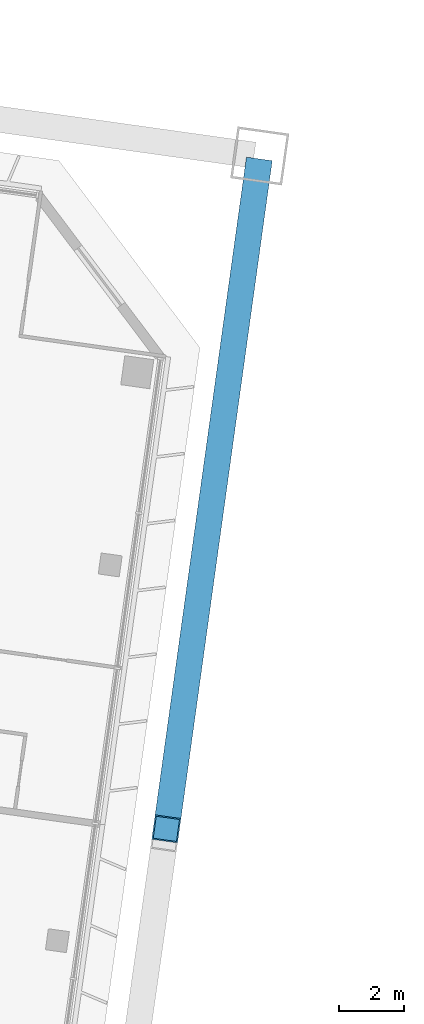
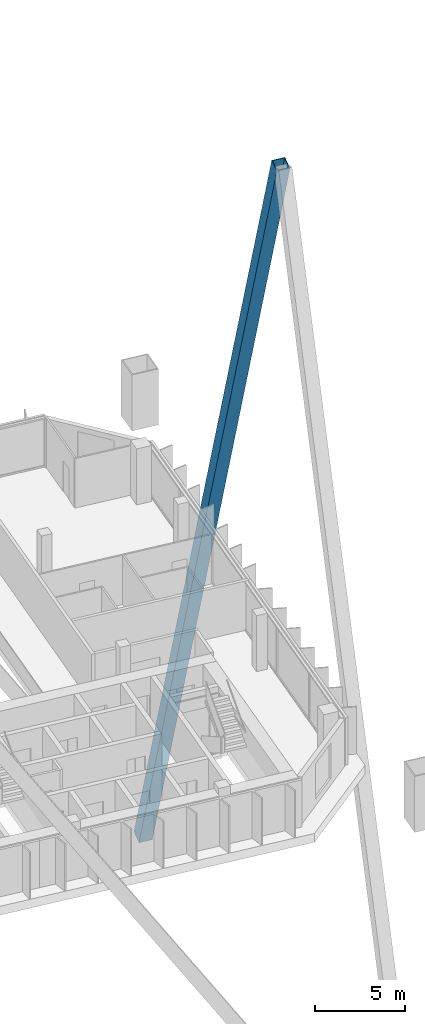
# One storey, part 13 of 41: 1 member.
"""IFC4 building model written with IfcOpenShell, lengths in metres."""

from ifc_helpers import new_model, si_unit, direction, frame, origin, origin_2d, place, context, subcontext, project, spatial, hollow_rectangle, extrude, material, material_profile, profile_set, type_object, element, save


model = new_model("IFC4")

# Units and contexts
model_context = context("Model", 3, precision=1e-05, world=origin(), true_north=direction((0.0, 1.0)))
body_context = subcontext(model_context, "Body", "Model", "MODEL_VIEW")
ifc_project = project(units=[si_unit("LENGTHUNIT", "METRE"), si_unit("AREAUNIT", "SQUARE_METRE"), si_unit("VOLUMEUNIT", "CUBIC_METRE"), si_unit("PLANEANGLEUNIT", "RADIAN"), si_unit("MASSUNIT", "GRAM", prefix="KILO")], contexts=[model_context])

# Site, building, storey
site_placement = place(None, origin())
site = spatial("IfcSite", under=ifc_project, at=site_placement, CompositionType="ELEMENT")
building_placement = place(site_placement, origin())
building = spatial("IfcBuilding", under=site, at=building_placement, Name="Mirante Cascada Hotel Towers", CompositionType="ELEMENT")
storey_placement = place(building_placement, frame((0.0, 0.0, 125.3)))
storey = spatial("IfcBuildingStorey", under=building, at=storey_placement, Name="L28", CompositionType="ELEMENT", Elevation=125.3)

# Member
ifc_material = material(Name="Steel ASTM A572 Gr 50", Category="steel")
ifc_material_profile = material_profile(ifc_material, hollow_rectangle(XDim=0.8, YDim=0.8, WallThickness=0.04, at=origin_2d()), Name="Box brace 800x800x40 ASTM A572 Gr 50")
ifc_profile_set = profile_set([ifc_material_profile], Name="Steel ASTM A572 Gr 50")
member_type = type_object("IfcMemberType", Name="Box brace 800x800x40 ASTM A572 Gr 50", PredefinedType="BRACE", material=ifc_profile_set)
member_placement = place(storey_placement, frame((-25.1625, 18.0498, -27.9164), z_axis=(-0.0450008, -0.3243171, 0.9448774), x_axis=(0.9905103, -0.1374388, 0.0)))
element("IfcMember", 1, at=member_placement, inside=storey, type_object=member_type, Name="brace T1 L28 6", PredefinedType="BRACE", context=body_context, shape_type="SweptSolid", body=[
    extrude(hollow_rectangle(XDim=0.8, YDim=0.8, WallThickness=0.04, at=origin_2d()), origin(), (0.0, 0.0, 1.0), 62.2678),
])

save(model, "model.ifc")
